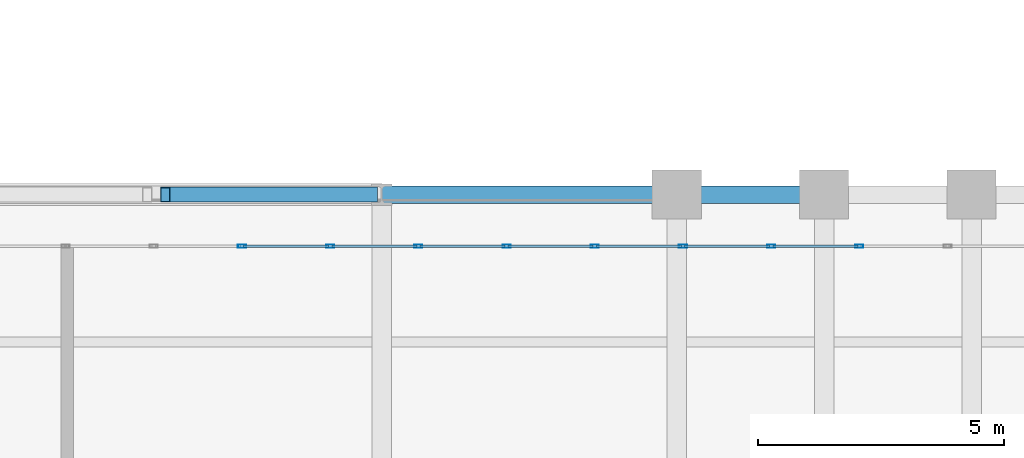
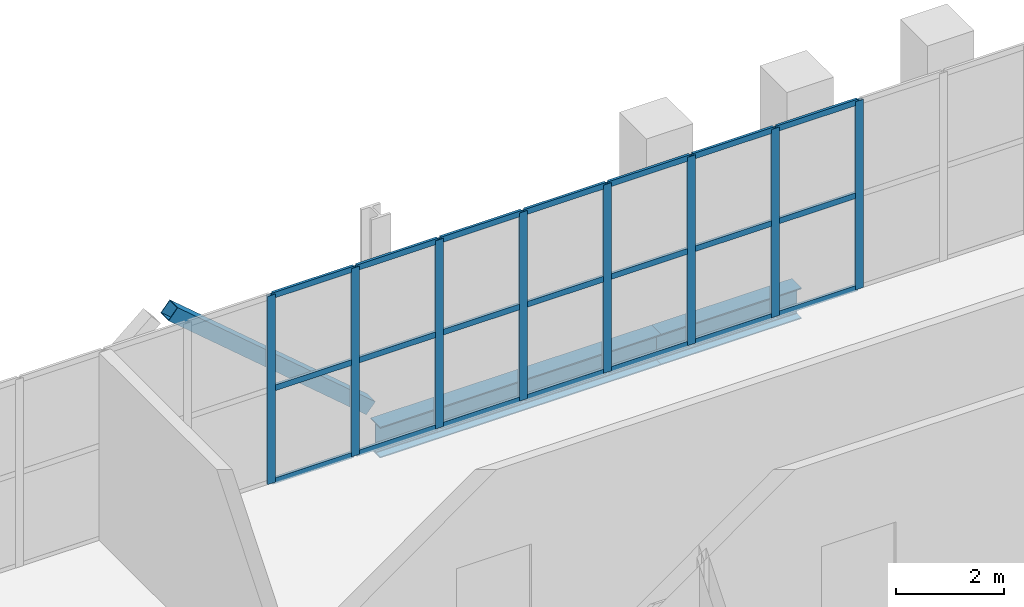
# One storey, part 17 of 27: 30 members, 2 beams, 1 element without a shape of its own.
"""IFC4 building model written with IfcOpenShell, lengths in metres."""

from ifc_helpers import new_model, si_unit, direction, frame, origin, origin_2d, place, context, subcontext, project, spatial, hollow_rectangle, i_section, extrude, material, layer, layer_set, material_profile, profile_set, type_object, element, aggregate, save


model = new_model("IFC4")

# Units and contexts
model_context = context("Model", 3, precision=1e-05, world=origin(), true_north=direction((0.0, 1.0)))
body_context = subcontext(model_context, "Body", "Model", "MODEL_VIEW")
ifc_project = project(units=[si_unit("LENGTHUNIT", "METRE"), si_unit("AREAUNIT", "SQUARE_METRE"), si_unit("VOLUMEUNIT", "CUBIC_METRE"), si_unit("PLANEANGLEUNIT", "RADIAN"), si_unit("MASSUNIT", "GRAM", prefix="KILO")], contexts=[model_context])

# Site, building, storey
site_placement = place(None, origin())
site = spatial("IfcSite", under=ifc_project, at=site_placement, CompositionType="ELEMENT")
building_placement = place(site_placement, origin())
building = spatial("IfcBuilding", under=site, at=building_placement, Name="Mawjdan Bourse Tower", CompositionType="ELEMENT")
storey_placement = place(building_placement, frame((0.0, 0.0, 155.699951171875)))
storey = spatial("IfcBuildingStorey", under=building, at=storey_placement, Name="L37", CompositionType="ELEMENT", Elevation=155.699951171875)

# Member
ifc_material_1 = material(Name="Structural Steel S460", Category="steel")
ifc_material_profile_1 = material_profile(ifc_material_1, hollow_rectangle(XDim=0.300048828125, YDim=0.300048828125, WallThickness=0.012451171875, at=origin_2d()), Name="HSS300X300X12.5")
ifc_profile_set_1 = profile_set([ifc_material_profile_1], Name="Structural Steel S460")
member_type_1 = type_object("IfcMemberType", Name="BRC-HSS300X300X12.5", PredefinedType="BRACE", material=ifc_profile_set_1)
member_1_placement = place(storey_placement, frame((37.595947265625, 21.0, 3.800048828125), z_axis=(0.760807747852, 0.0, -0.648977326883), x_axis=(0.0, 1.0, 0.0)))
element("IfcMember", 1, at=member_1_placement, inside=storey, type_object=member_type_1, Name="L37 East Outrigger Truss 2 Diagonal 4", PredefinedType="BRACE", context=body_context, shape_type="SweptSolid", body=[
    extrude(hollow_rectangle(XDim=0.300048828125, YDim=0.300048828125, WallThickness=0.012451171875, at=origin_2d()), origin(), (0.0, 0.0, 1.0), 5.54736328125),
])

# Curtain wall, members
ifc_material_2 = material(Name="Thermally Broken Aluminium and Solar Glass", Category="aluminium")
ifc_layer = layer(ifc_material_2, 0.219970703125)
ifc_layer_set = layer_set([ifc_layer], Name="Thermally Broken Aluminium and Solar Glass")
curtain_wall_type = type_object("IfcCurtainWallType", Name="CW-RFG", PredefinedType="USERDEFINED", material=ifc_layer_set)
curtain_wall_placement = place(storey_placement, origin())
curtain_wall = element("IfcCurtainWall", 2, at=curtain_wall_placement, inside=storey, type_object=curtain_wall_type, Name="L37 Refuge Band North Louvre Curtain Wall", ObjectType="REFUGE BAND LOUVRE SCREEN", PredefinedType="USERDEFINED")
ifc_material_3 = material(Name="Thermally Broken Anodised Aluminium", Category="aluminium")
ifc_material_profile_2 = material_profile(ifc_material_3, hollow_rectangle(XDim=0.06494140625, YDim=0.1650390625, WallThickness=0.00390625, at=origin_2d()), Name="ALU-MUL-165X65")
ifc_profile_set_2 = profile_set([ifc_material_profile_2], Name="Thermally Broken Anodised Aluminium")
member_type_2 = type_object("IfcMemberType", Name="MUL-ALU-MUL-165X65", PredefinedType="MULLION", material=ifc_profile_set_2)
member_2_placement = place(storey_placement, frame((51.716552734375, 19.949951171875, 0.0), z_axis=(0.0, 0.0, 1.0), x_axis=(0.0, -1.0, 0.0)))
member_2 = element("IfcMember", 3, at=member_2_placement, type_object=member_type_2, Name="CW-RFG-L37-RFG-N mullion 4", PredefinedType="MULLION", context=body_context, shape_type="SweptSolid", body=[
    extrude(hollow_rectangle(XDim=0.06494140625, YDim=0.1650390625, WallThickness=0.00390625, at=origin_2d()), origin(), (0.0, 0.0, 1.0), 4.25),
])
member_3_placement = place(storey_placement, frame((49.922119140625, 19.949951171875, 0.0), z_axis=(0.0, 0.0, 1.0), x_axis=(0.0, -1.0, 0.0)))
member_3 = element("IfcMember", 4, at=member_3_placement, type_object=member_type_2, Name="CW-RFG-L37-RFG-N mullion 5", PredefinedType="MULLION", context=body_context, shape_type="SweptSolid", body=[
    extrude(hollow_rectangle(XDim=0.06494140625, YDim=0.1650390625, WallThickness=0.00390625, at=origin_2d()), origin(), (0.0, 0.0, 1.0), 4.25),
])
member_4_placement = place(storey_placement, frame((48.127685546875, 19.949951171875, 0.0), z_axis=(0.0, 0.0, 1.0), x_axis=(0.0, -1.0, 0.0)))
member_4 = element("IfcMember", 5, at=member_4_placement, type_object=member_type_2, Name="CW-RFG-L37-RFG-N mullion 6", PredefinedType="MULLION", context=body_context, shape_type="SweptSolid", body=[
    extrude(hollow_rectangle(XDim=0.06494140625, YDim=0.1650390625, WallThickness=0.00390625, at=origin_2d()), origin(), (0.0, 0.0, 1.0), 4.25),
])
member_5_placement = place(storey_placement, frame((46.333251953125, 19.949951171875, 0.0), z_axis=(0.0, 0.0, 1.0), x_axis=(0.0, -1.0, 0.0)))
member_5 = element("IfcMember", 6, at=member_5_placement, type_object=member_type_2, Name="CW-RFG-L37-RFG-N mullion 7", PredefinedType="MULLION", context=body_context, shape_type="SweptSolid", body=[
    extrude(hollow_rectangle(XDim=0.06494140625, YDim=0.1650390625, WallThickness=0.00390625, at=origin_2d()), origin(), (0.0, 0.0, 1.0), 4.25),
])
member_6_placement = place(storey_placement, frame((44.538818359375, 19.949951171875, 0.0), z_axis=(0.0, 0.0, 1.0), x_axis=(0.0, -1.0, 0.0)))
member_6 = element("IfcMember", 7, at=member_6_placement, type_object=member_type_2, Name="CW-RFG-L37-RFG-N mullion 8", PredefinedType="MULLION", context=body_context, shape_type="SweptSolid", body=[
    extrude(hollow_rectangle(XDim=0.06494140625, YDim=0.1650390625, WallThickness=0.00390625, at=origin_2d()), origin(), (0.0, 0.0, 1.0), 4.25),
])
member_7_placement = place(storey_placement, frame((42.744384765625, 19.949951171875, 0.0), z_axis=(0.0, 0.0, 1.0), x_axis=(0.0, -1.0, 0.0)))
member_7 = element("IfcMember", 8, at=member_7_placement, type_object=member_type_2, Name="CW-RFG-L37-RFG-N mullion 9", PredefinedType="MULLION", context=body_context, shape_type="SweptSolid", body=[
    extrude(hollow_rectangle(XDim=0.06494140625, YDim=0.1650390625, WallThickness=0.00390625, at=origin_2d()), origin(), (0.0, 0.0, 1.0), 4.25),
])
member_8_placement = place(storey_placement, frame((40.949951171875, 19.949951171875, 0.0), z_axis=(0.0, 0.0, 1.0), x_axis=(0.0, -1.0, 0.0)))
member_8 = element("IfcMember", 9, at=member_8_placement, type_object=member_type_2, Name="CW-RFG-L37-RFG-N mullion 10", PredefinedType="MULLION", context=body_context, shape_type="SweptSolid", body=[
    extrude(hollow_rectangle(XDim=0.06494140625, YDim=0.1650390625, WallThickness=0.00390625, at=origin_2d()), origin(), (0.0, 0.0, 1.0), 4.25),
])
member_9_placement = place(storey_placement, frame((39.155517578125, 19.949951171875, 0.0), z_axis=(0.0, 0.0, 1.0), x_axis=(0.0, -1.0, 0.0)))
member_9 = element("IfcMember", 10, at=member_9_placement, type_object=member_type_2, Name="CW-RFG-L37-RFG-N mullion 11", PredefinedType="MULLION", context=body_context, shape_type="SweptSolid", body=[
    extrude(hollow_rectangle(XDim=0.06494140625, YDim=0.1650390625, WallThickness=0.00390625, at=origin_2d()), origin(), (0.0, 0.0, 1.0), 4.25),
])

# Beams
ifc_material_4 = material(Name="Structural Steel S355", Category="steel")
ifc_material_profile_3 = material_profile(ifc_material_4, i_section(OverallWidth=0.35498046875, OverallDepth=0.696044921875, WebThickness=0.015380859375, FlangeThickness=0.02490234375, FilletRadius=0.019775390625, at=origin_2d()), Name="W27X146")
ifc_profile_set_3 = profile_set([ifc_material_profile_3], Name="Structural Steel S355")
beam_type = type_object("IfcBeamType", Name="SPN-W27X146", PredefinedType="SPANDREL", material=ifc_profile_set_3)
beam_1_placement = place(storey_placement, frame((42.0, 21.0, -0.6279296875), z_axis=(1.0, 0.0, 0.0), x_axis=(0.0, 1.0, 0.0)))
element("IfcBeam", 11, at=beam_1_placement, inside=storey, type_object=beam_type, Name="L37 Perimeter Masonry-Shelf Spandrel 016", PredefinedType="SPANDREL", context=body_context, shape_type="SweptSolid", body=[
    extrude(i_section(OverallWidth=0.35498046875, OverallDepth=0.696044921875, WebThickness=0.015380859375, FlangeThickness=0.02490234375, FilletRadius=0.019775390625, at=origin_2d()), origin(), (0.0, 0.0, 1.0), 6.0),
])
beam_2_placement = place(storey_placement, frame((48.0, 21.0, -0.6279296875), z_axis=(1.0, 0.0, 0.0), x_axis=(0.0, 1.0, 0.0)))
element("IfcBeam", 12, at=beam_2_placement, inside=storey, type_object=beam_type, Name="L37 Perimeter Masonry-Shelf Spandrel 017", PredefinedType="SPANDREL", context=body_context, shape_type="SweptSolid", body=[
    extrude(i_section(OverallWidth=0.35498046875, OverallDepth=0.696044921875, WebThickness=0.015380859375, FlangeThickness=0.02490234375, FilletRadius=0.019775390625, at=origin_2d()), origin(), (0.0, 0.0, 1.0), 3.0),
])

# Member
ifc_material_profile_4 = material_profile(ifc_material_3, hollow_rectangle(XDim=0.054931640625, YDim=0.1298828125, WallThickness=0.00341796875, at=origin_2d()), Name="ALU-TRN-130X55")
ifc_profile_set_4 = profile_set([ifc_material_profile_4], Name="Thermally Broken Anodised Aluminium")
member_type_3 = type_object("IfcMemberType", Name="TRN-ALU-TRN-130X55", PredefinedType="USERDEFINED", material=ifc_profile_set_4)
member_10_placement = place(storey_placement, frame((51.68408203125, 19.949951171875, 0.027587890625), z_axis=(-1.0, 0.0, 0.0), x_axis=(0.0, -1.0, 0.0)))
member_10 = element("IfcMember", 13, at=member_10_placement, type_object=member_type_3, Name="CW-RFG-L37-RFG-N transom 4.1", ObjectType="TRANSOM", PredefinedType="USERDEFINED", context=body_context, shape_type="SweptSolid", body=[
    extrude(hollow_rectangle(XDim=0.054931640625, YDim=0.1298828125, WallThickness=0.00341796875, at=origin_2d()), origin(), (0.0, 0.0, 1.0), 1.729248046875),
])

member_11_placement = place(storey_placement, frame((51.68408203125, 19.949951171875, 2.125), z_axis=(-1.0, 0.0, 0.0), x_axis=(0.0, -1.0, 0.0)))
member_11 = element("IfcMember", 14, at=member_11_placement, type_object=member_type_3, Name="CW-RFG-L37-RFG-N transom 4.2", ObjectType="TRANSOM", PredefinedType="USERDEFINED", context=body_context, shape_type="SweptSolid", body=[
    extrude(hollow_rectangle(XDim=0.054931640625, YDim=0.1298828125, WallThickness=0.00341796875, at=origin_2d()), origin(), (0.0, 0.0, 1.0), 1.729248046875),
])

member_12_placement = place(storey_placement, frame((51.68408203125, 19.949951171875, 4.22265625), z_axis=(-1.0, 0.0, 0.0), x_axis=(0.0, -1.0, 0.0)))
member_12 = element("IfcMember", 15, at=member_12_placement, type_object=member_type_3, Name="CW-RFG-L37-RFG-N transom 4.3", ObjectType="TRANSOM", PredefinedType="USERDEFINED", context=body_context, shape_type="SweptSolid", body=[
    extrude(hollow_rectangle(XDim=0.054931640625, YDim=0.1298828125, WallThickness=0.00341796875, at=origin_2d()), origin(), (0.0, 0.0, 1.0), 1.729248046875),
])

member_13_placement = place(storey_placement, frame((49.8896484375, 19.949951171875, 0.027587890625), z_axis=(-1.0, 0.0, 0.0), x_axis=(0.0, -1.0, 0.0)))
member_13 = element("IfcMember", 16, at=member_13_placement, type_object=member_type_3, Name="CW-RFG-L37-RFG-N transom 5.1", ObjectType="TRANSOM", PredefinedType="USERDEFINED", context=body_context, shape_type="SweptSolid", body=[
    extrude(hollow_rectangle(XDim=0.054931640625, YDim=0.1298828125, WallThickness=0.00341796875, at=origin_2d()), origin(), (0.0, 0.0, 1.0), 1.7294921875),
])

member_14_placement = place(storey_placement, frame((49.8896484375, 19.949951171875, 2.125), z_axis=(-1.0, 0.0, 0.0), x_axis=(0.0, -1.0, 0.0)))
member_14 = element("IfcMember", 17, at=member_14_placement, type_object=member_type_3, Name="CW-RFG-L37-RFG-N transom 5.2", ObjectType="TRANSOM", PredefinedType="USERDEFINED", context=body_context, shape_type="SweptSolid", body=[
    extrude(hollow_rectangle(XDim=0.054931640625, YDim=0.1298828125, WallThickness=0.00341796875, at=origin_2d()), origin(), (0.0, 0.0, 1.0), 1.7294921875),
])

member_15_placement = place(storey_placement, frame((49.8896484375, 19.949951171875, 4.22265625), z_axis=(-1.0, 0.0, 0.0), x_axis=(0.0, -1.0, 0.0)))
member_15 = element("IfcMember", 18, at=member_15_placement, type_object=member_type_3, Name="CW-RFG-L37-RFG-N transom 5.3", ObjectType="TRANSOM", PredefinedType="USERDEFINED", context=body_context, shape_type="SweptSolid", body=[
    extrude(hollow_rectangle(XDim=0.054931640625, YDim=0.1298828125, WallThickness=0.00341796875, at=origin_2d()), origin(), (0.0, 0.0, 1.0), 1.7294921875),
])

member_16_placement = place(storey_placement, frame((48.09521484375, 19.949951171875, 0.027587890625), z_axis=(-1.0, 0.0, 0.0), x_axis=(0.0, -1.0, 0.0)))
member_16 = element("IfcMember", 19, at=member_16_placement, type_object=member_type_3, Name="CW-RFG-L37-RFG-N transom 6.1", ObjectType="TRANSOM", PredefinedType="USERDEFINED", context=body_context, shape_type="SweptSolid", body=[
    extrude(hollow_rectangle(XDim=0.054931640625, YDim=0.1298828125, WallThickness=0.00341796875, at=origin_2d()), origin(), (0.0, 0.0, 1.0), 1.7294921875),
])

member_17_placement = place(storey_placement, frame((48.09521484375, 19.949951171875, 2.125), z_axis=(-1.0, 0.0, 0.0), x_axis=(0.0, -1.0, 0.0)))
member_17 = element("IfcMember", 20, at=member_17_placement, type_object=member_type_3, Name="CW-RFG-L37-RFG-N transom 6.2", ObjectType="TRANSOM", PredefinedType="USERDEFINED", context=body_context, shape_type="SweptSolid", body=[
    extrude(hollow_rectangle(XDim=0.054931640625, YDim=0.1298828125, WallThickness=0.00341796875, at=origin_2d()), origin(), (0.0, 0.0, 1.0), 1.7294921875),
])

member_18_placement = place(storey_placement, frame((48.09521484375, 19.949951171875, 4.22265625), z_axis=(-1.0, 0.0, 0.0), x_axis=(0.0, -1.0, 0.0)))
member_18 = element("IfcMember", 21, at=member_18_placement, type_object=member_type_3, Name="CW-RFG-L37-RFG-N transom 6.3", ObjectType="TRANSOM", PredefinedType="USERDEFINED", context=body_context, shape_type="SweptSolid", body=[
    extrude(hollow_rectangle(XDim=0.054931640625, YDim=0.1298828125, WallThickness=0.00341796875, at=origin_2d()), origin(), (0.0, 0.0, 1.0), 1.7294921875),
])

member_19_placement = place(storey_placement, frame((46.30078125, 19.949951171875, 0.027587890625), z_axis=(-1.0, 0.0, 0.0), x_axis=(0.0, -1.0, 0.0)))
member_19 = element("IfcMember", 22, at=member_19_placement, type_object=member_type_3, Name="CW-RFG-L37-RFG-N transom 7.1", ObjectType="TRANSOM", PredefinedType="USERDEFINED", context=body_context, shape_type="SweptSolid", body=[
    extrude(hollow_rectangle(XDim=0.054931640625, YDim=0.1298828125, WallThickness=0.00341796875, at=origin_2d()), origin(), (0.0, 0.0, 1.0), 1.7294921875),
])

member_20_placement = place(storey_placement, frame((46.30078125, 19.949951171875, 2.125), z_axis=(-1.0, 0.0, 0.0), x_axis=(0.0, -1.0, 0.0)))
member_20 = element("IfcMember", 23, at=member_20_placement, type_object=member_type_3, Name="CW-RFG-L37-RFG-N transom 7.2", ObjectType="TRANSOM", PredefinedType="USERDEFINED", context=body_context, shape_type="SweptSolid", body=[
    extrude(hollow_rectangle(XDim=0.054931640625, YDim=0.1298828125, WallThickness=0.00341796875, at=origin_2d()), origin(), (0.0, 0.0, 1.0), 1.7294921875),
])

member_21_placement = place(storey_placement, frame((46.30078125, 19.949951171875, 4.22265625), z_axis=(-1.0, 0.0, 0.0), x_axis=(0.0, -1.0, 0.0)))
member_21 = element("IfcMember", 24, at=member_21_placement, type_object=member_type_3, Name="CW-RFG-L37-RFG-N transom 7.3", ObjectType="TRANSOM", PredefinedType="USERDEFINED", context=body_context, shape_type="SweptSolid", body=[
    extrude(hollow_rectangle(XDim=0.054931640625, YDim=0.1298828125, WallThickness=0.00341796875, at=origin_2d()), origin(), (0.0, 0.0, 1.0), 1.7294921875),
])

member_22_placement = place(storey_placement, frame((44.50634765625, 19.949951171875, 0.027587890625), z_axis=(-1.0, 0.0, 0.0), x_axis=(0.0, -1.0, 0.0)))
member_22 = element("IfcMember", 25, at=member_22_placement, type_object=member_type_3, Name="CW-RFG-L37-RFG-N transom 8.1", ObjectType="TRANSOM", PredefinedType="USERDEFINED", context=body_context, shape_type="SweptSolid", body=[
    extrude(hollow_rectangle(XDim=0.054931640625, YDim=0.1298828125, WallThickness=0.00341796875, at=origin_2d()), origin(), (0.0, 0.0, 1.0), 1.7294921875),
])

member_23_placement = place(storey_placement, frame((44.50634765625, 19.949951171875, 2.125), z_axis=(-1.0, 0.0, 0.0), x_axis=(0.0, -1.0, 0.0)))
member_23 = element("IfcMember", 26, at=member_23_placement, type_object=member_type_3, Name="CW-RFG-L37-RFG-N transom 8.2", ObjectType="TRANSOM", PredefinedType="USERDEFINED", context=body_context, shape_type="SweptSolid", body=[
    extrude(hollow_rectangle(XDim=0.054931640625, YDim=0.1298828125, WallThickness=0.00341796875, at=origin_2d()), origin(), (0.0, 0.0, 1.0), 1.7294921875),
])

member_24_placement = place(storey_placement, frame((44.50634765625, 19.949951171875, 4.22265625), z_axis=(-1.0, 0.0, 0.0), x_axis=(0.0, -1.0, 0.0)))
member_24 = element("IfcMember", 27, at=member_24_placement, type_object=member_type_3, Name="CW-RFG-L37-RFG-N transom 8.3", ObjectType="TRANSOM", PredefinedType="USERDEFINED", context=body_context, shape_type="SweptSolid", body=[
    extrude(hollow_rectangle(XDim=0.054931640625, YDim=0.1298828125, WallThickness=0.00341796875, at=origin_2d()), origin(), (0.0, 0.0, 1.0), 1.7294921875),
])

member_25_placement = place(storey_placement, frame((42.7119140625, 19.949951171875, 0.027587890625), z_axis=(-1.0, 0.0, 0.0), x_axis=(0.0, -1.0, 0.0)))
member_25 = element("IfcMember", 28, at=member_25_placement, type_object=member_type_3, Name="CW-RFG-L37-RFG-N transom 9.1", ObjectType="TRANSOM", PredefinedType="USERDEFINED", context=body_context, shape_type="SweptSolid", body=[
    extrude(hollow_rectangle(XDim=0.054931640625, YDim=0.1298828125, WallThickness=0.00341796875, at=origin_2d()), origin(), (0.0, 0.0, 1.0), 1.7294921875),
])

member_26_placement = place(storey_placement, frame((42.7119140625, 19.949951171875, 2.125), z_axis=(-1.0, 0.0, 0.0), x_axis=(0.0, -1.0, 0.0)))
member_26 = element("IfcMember", 29, at=member_26_placement, type_object=member_type_3, Name="CW-RFG-L37-RFG-N transom 9.2", ObjectType="TRANSOM", PredefinedType="USERDEFINED", context=body_context, shape_type="SweptSolid", body=[
    extrude(hollow_rectangle(XDim=0.054931640625, YDim=0.1298828125, WallThickness=0.00341796875, at=origin_2d()), origin(), (0.0, 0.0, 1.0), 1.7294921875),
])

member_27_placement = place(storey_placement, frame((42.7119140625, 19.949951171875, 4.22265625), z_axis=(-1.0, 0.0, 0.0), x_axis=(0.0, -1.0, 0.0)))
member_27 = element("IfcMember", 30, at=member_27_placement, type_object=member_type_3, Name="CW-RFG-L37-RFG-N transom 9.3", ObjectType="TRANSOM", PredefinedType="USERDEFINED", context=body_context, shape_type="SweptSolid", body=[
    extrude(hollow_rectangle(XDim=0.054931640625, YDim=0.1298828125, WallThickness=0.00341796875, at=origin_2d()), origin(), (0.0, 0.0, 1.0), 1.7294921875),
])

member_28_placement = place(storey_placement, frame((40.91748046875, 19.949951171875, 0.027587890625), z_axis=(-1.0, 0.0, 0.0), x_axis=(0.0, -1.0, 0.0)))
member_28 = element("IfcMember", 31, at=member_28_placement, type_object=member_type_3, Name="CW-RFG-L37-RFG-N transom 10.1", ObjectType="TRANSOM", PredefinedType="USERDEFINED", context=body_context, shape_type="SweptSolid", body=[
    extrude(hollow_rectangle(XDim=0.054931640625, YDim=0.1298828125, WallThickness=0.00341796875, at=origin_2d()), origin(), (0.0, 0.0, 1.0), 1.7294921875),
])

member_29_placement = place(storey_placement, frame((40.91748046875, 19.949951171875, 2.125), z_axis=(-1.0, 0.0, 0.0), x_axis=(0.0, -1.0, 0.0)))
member_29 = element("IfcMember", 32, at=member_29_placement, type_object=member_type_3, Name="CW-RFG-L37-RFG-N transom 10.2", ObjectType="TRANSOM", PredefinedType="USERDEFINED", context=body_context, shape_type="SweptSolid", body=[
    extrude(hollow_rectangle(XDim=0.054931640625, YDim=0.1298828125, WallThickness=0.00341796875, at=origin_2d()), origin(), (0.0, 0.0, 1.0), 1.7294921875),
])

member_30_placement = place(storey_placement, frame((40.91748046875, 19.949951171875, 4.22265625), z_axis=(-1.0, 0.0, 0.0), x_axis=(0.0, -1.0, 0.0)))
member_30 = element("IfcMember", 33, at=member_30_placement, type_object=member_type_3, Name="CW-RFG-L37-RFG-N transom 10.3", ObjectType="TRANSOM", PredefinedType="USERDEFINED", context=body_context, shape_type="SweptSolid", body=[
    extrude(hollow_rectangle(XDim=0.054931640625, YDim=0.1298828125, WallThickness=0.00341796875, at=origin_2d()), origin(), (0.0, 0.0, 1.0), 1.7294921875),
])

aggregate(curtain_wall, [member_2, member_3, member_4, member_5, member_6, member_7, member_8, member_9, member_10, member_11, member_12, member_13, member_14, member_15, member_16, member_17, member_18, member_19, member_20, member_21, member_22, member_23, member_24, member_25, member_26, member_27, member_28, member_29, member_30])

save(model, "model.ifc")
